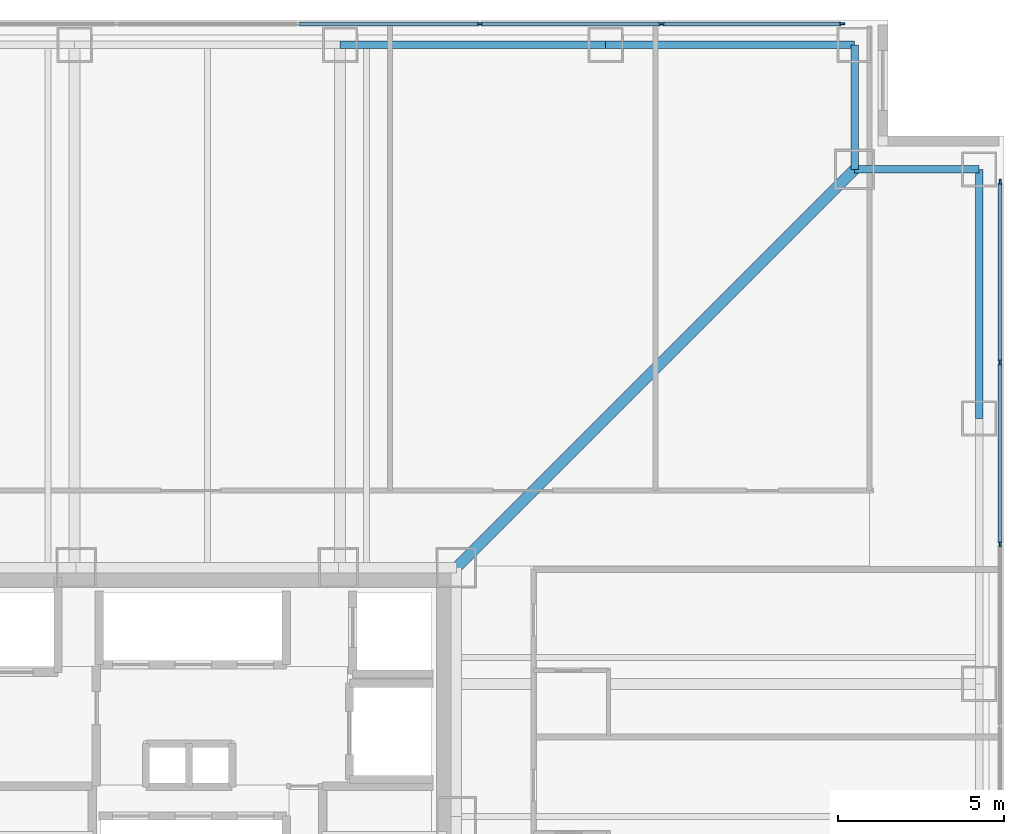
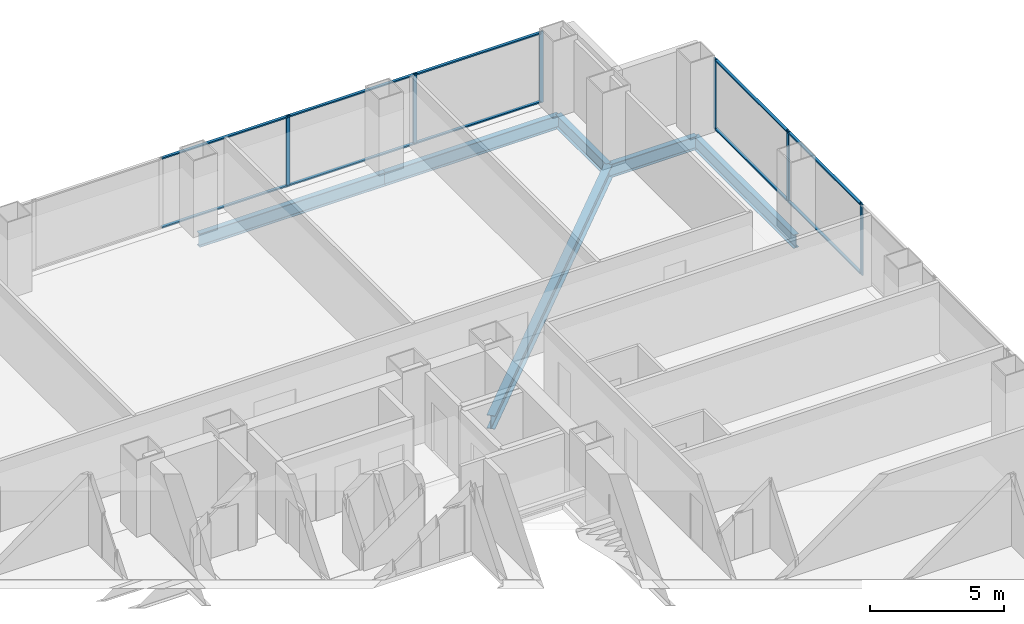
# One storey, part 9 of 16: 16 members, 6 beams, 2 elements without a shape of their own.
"""IFC4 building model written with IfcOpenShell, lengths in metres."""

from ifc_helpers import new_model, si_unit, direction, frame, origin, origin_2d, place, context, subcontext, project, spatial, rectangle, i_section, extrude, material, layer, layer_set, material_profile, profile_set, type_object, element, aggregate, save


model = new_model("IFC4")

# Units and contexts
model_context = context("Model", 3, precision=1e-05, world=origin(), true_north=direction((0.0, 1.0)))
body_context = subcontext(model_context, "Body", "Model", "MODEL_VIEW")
ifc_project = project(units=[si_unit("LENGTHUNIT", "METRE"), si_unit("AREAUNIT", "SQUARE_METRE"), si_unit("VOLUMEUNIT", "CUBIC_METRE"), si_unit("PLANEANGLEUNIT", "RADIAN"), si_unit("MASSUNIT", "GRAM", prefix="KILO")], contexts=[model_context])

# Site, building, storey
site_placement = place(None, origin())
site = spatial("IfcSite", under=ifc_project, at=site_placement, CompositionType="ELEMENT")
building_placement = place(site_placement, origin())
building = spatial("IfcBuilding", under=site, at=building_placement, Name="Trevonay Congress Spire", CompositionType="ELEMENT")
storey_placement = place(building_placement, frame((0.0, 0.0, 51.5)))
storey = spatial("IfcBuildingStorey", under=building, at=storey_placement, Name="L12", CompositionType="ELEMENT", Elevation=51.5)

# Beams
ifc_material_1 = material(Name="Steel ASTM A572 Grade 50", Category="steel")
ifc_material_profile_1 = material_profile(ifc_material_1, i_section(OverallWidth=0.324951171875, OverallDepth=0.615966796875, WebThickness=0.013916015625, FlangeThickness=0.021484375, FilletRadius=0.01806640625, at=origin_2d()), Name="W610x174")
ifc_profile_set_1 = profile_set([ifc_material_profile_1], Name="Steel ASTM A572 Grade 50")
beam_type_1 = type_object("IfcBeamType", Name="BM-GIRD-W610X174", PredefinedType="BEAM", material=ifc_profile_set_1)
beam_1_placement = place(storey_placement, frame((7.5, 7.5, -0.55810546875), z_axis=(0.707106781187, 0.707106781187, 0.0), x_axis=(-0.707106781187, 0.707106781187, 0.0)))
element("IfcBeam", 1, at=beam_1_placement, inside=storey, type_object=beam_type_1, Name="L12 structural beam BM-L12-CDNE", PredefinedType="BEAM", context=body_context, shape_type="SweptSolid", body=[
    extrude(i_section(OverallWidth=0.324951171875, OverallDepth=0.615966796875, WebThickness=0.013916015625, FlangeThickness=0.021484375, FilletRadius=0.01806640625, at=origin_2d()), origin(), (0.0, 0.0, 1.0), 16.970458984375),
])
ifc_material_profile_2 = material_profile(ifc_material_1, i_section(OverallWidth=0.22998046875, OverallDepth=0.616943359375, WebThickness=0.01318359375, FlangeThickness=0.022216796875, FilletRadius=0.01611328125, at=origin_2d()), Name="W610x140")
ifc_profile_set_2 = profile_set([ifc_material_profile_2], Name="Steel ASTM A572 Grade 50")
beam_type_2 = type_object("IfcBeamType", Name="BM-RING-W610X140", PredefinedType="BEAM", material=ifc_profile_set_2)
beam_2_placement = place(storey_placement, frame((4.0, 23.25, -0.55859375), z_axis=(1.0, 0.0, 0.0), x_axis=(0.0, 1.0, 0.0)))
element("IfcBeam", 2, at=beam_2_placement, inside=storey, type_object=beam_type_2, Name="L12 structural beam BM-L12-PN4", PredefinedType="BEAM", context=body_context, shape_type="SweptSolid", body=[
    extrude(i_section(OverallWidth=0.22998046875, OverallDepth=0.616943359375, WebThickness=0.01318359375, FlangeThickness=0.022216796875, FilletRadius=0.01611328125, at=origin_2d()), origin(), (0.0, 0.0, 1.0), 8.0),
])
for number, where, z_axis, x_axis, name in (
    (3, (12.0, 23.25, -0.55859375), (1.0, 0.0, 0.0), (0.0, 1.0, 0.0), "L12 structural beam BM-L12-PN5"),
    (4, (23.25, 12.0, -0.55859375), (0.0, 1.0, 0.0), (-1.0, 0.0, 0.0), "L12 structural beam BM-L12-PE5"),
):
    element("IfcBeam", number, at=place(storey_placement, frame(where, z_axis=z_axis, x_axis=x_axis)), inside=storey, type_object=beam_type_2, Name=name, PredefinedType="BEAM", context=body_context, shape_type="SweptSolid", body=[
        extrude(i_section(OverallWidth=0.22998046875, OverallDepth=0.616943359375, WebThickness=0.01318359375, FlangeThickness=0.022216796875, FilletRadius=0.01611328125, at=origin_2d()), origin(), (0.0, 0.0, 1.0), 7.5),
    ])
for number, where, z_axis, x_axis, name in (
    (5, (19.5, 23.25, -0.55859375), (0.0, -1.0, 0.0), (1.0, 0.0, 0.0), "L12 structural beam BM-L12-N1NE"),
    (6, (23.25, 19.5, -0.55859375), (-1.0, 0.0, 0.0), (0.0, -1.0, 0.0), "L12 structural beam BM-L12-N2NE"),
):
    element("IfcBeam", number, at=place(storey_placement, frame(where, z_axis=z_axis, x_axis=x_axis)), inside=storey, type_object=beam_type_2, Name=name, PredefinedType="BEAM", context=body_context, shape_type="SweptSolid", body=[
        extrude(i_section(OverallWidth=0.22998046875, OverallDepth=0.616943359375, WebThickness=0.01318359375, FlangeThickness=0.022216796875, FilletRadius=0.01611328125, at=origin_2d()), origin(), (0.0, 0.0, 1.0), 3.75),
    ])

# Curtain wall, members
ifc_material_2 = material(Name="Pale Anodised Aluminium EN AW-6063-T6", Category="aluminium")
ifc_layer = layer(ifc_material_2, 0.179931640625, Name="Pale Anodised Aluminium EN AW-6063-T6")
ifc_layer_set = layer_set([ifc_layer], Name="Pale Anodised Aluminium EN AW-6063-T6")
curtain_wall_type = type_object("IfcCurtainWallType", Name="CW-SYS02-HOTEL-PALE-METAL", PredefinedType="NOTDEFINED", material=ifc_layer_set)
curtain_wall_1_placement = place(storey_placement, origin())
curtain_wall_1 = element("IfcCurtainWall", 7, at=curtain_wall_1_placement, inside=storey, type_object=curtain_wall_type, Name="L12 N unitised curtain wall", PredefinedType="NOTDEFINED")
ifc_material_profile_3 = material_profile(ifc_material_2, rectangle(XDim=0.06005859375, YDim=0.159912109375, at=origin_2d()), Name="CW-MULLION-160-ALUMINIUM")
ifc_profile_set_3 = profile_set([ifc_material_profile_3], Name="Pale Anodised Aluminium EN AW-6063-T6")
member_type_1 = type_object("IfcMemberType", Name="CW-MULLION-160-ALUMINIUM", PredefinedType="MULLION", material=ifc_profile_set_3)
member_1_placement = place(storey_placement, frame((8.20703125, 23.8798828125, 0.0), z_axis=(0.0, 0.0, 1.0), x_axis=(0.0, 1.0, 0.0)))
member_1 = element("IfcMember", 8, at=member_1_placement, type_object=member_type_1, Name="CW02 mullion 6", PredefinedType="MULLION", context=body_context, shape_type="SweptSolid", body=[
    extrude(rectangle(XDim=0.06005859375, YDim=0.159912109375, at=origin_2d()), origin(), (0.0, 0.0, 1.0), 3.25),
])
member_2_placement = place(storey_placement, frame((13.678466796875, 23.8798828125, 0.0), z_axis=(0.0, 0.0, 1.0), x_axis=(0.0, 1.0, 0.0)))
member_2 = element("IfcMember", 9, at=member_2_placement, type_object=member_type_1, Name="CW02 mullion 7", PredefinedType="MULLION", context=body_context, shape_type="SweptSolid", body=[
    extrude(rectangle(XDim=0.06005859375, YDim=0.159912109375, at=origin_2d()), origin(), (0.0, 0.0, 1.0), 3.25),
])
member_3_placement = place(storey_placement, frame((19.1201171875, 23.8798828125, 0.0), z_axis=(0.0, 0.0, 1.0), x_axis=(0.0, 1.0, 0.0)))
member_3 = element("IfcMember", 10, at=member_3_placement, type_object=member_type_1, Name="CW02 mullion 8", PredefinedType="MULLION", context=body_context, shape_type="SweptSolid", body=[
    extrude(rectangle(XDim=0.06005859375, YDim=0.159912109375, at=origin_2d()), origin(), (0.0, 0.0, 1.0), 3.25),
])

curtain_wall_2_placement = place(storey_placement, origin())
curtain_wall_2 = element("IfcCurtainWall", 11, at=curtain_wall_2_placement, inside=storey, type_object=curtain_wall_type, Name="L12 E unitised curtain wall", PredefinedType="NOTDEFINED")
member_4_placement = place(storey_placement, frame((23.8798828125, 8.20703125, 0.0), z_axis=(0.0, 0.0, 1.0), x_axis=(-1.0, 0.0, 0.0)))
member_4 = element("IfcMember", 12, at=member_4_placement, type_object=member_type_1, Name="CW02 mullion 6", PredefinedType="MULLION", context=body_context, shape_type="SweptSolid", body=[
    extrude(rectangle(XDim=0.06005859375, YDim=0.159912109375, at=origin_2d()), origin(), (0.0, 0.0, 1.0), 3.25),
])
member_5_placement = place(storey_placement, frame((23.8798828125, 13.678466796875, 0.0), z_axis=(0.0, 0.0, 1.0), x_axis=(-1.0, 0.0, 0.0)))
member_5 = element("IfcMember", 13, at=member_5_placement, type_object=member_type_1, Name="CW02 mullion 7", PredefinedType="MULLION", context=body_context, shape_type="SweptSolid", body=[
    extrude(rectangle(XDim=0.06005859375, YDim=0.159912109375, at=origin_2d()), origin(), (0.0, 0.0, 1.0), 3.25),
])
member_6_placement = place(storey_placement, frame((23.8798828125, 19.1201171875, 0.0), z_axis=(0.0, 0.0, 1.0), x_axis=(-1.0, 0.0, 0.0)))
member_6 = element("IfcMember", 14, at=member_6_placement, type_object=member_type_1, Name="CW02 mullion 8", PredefinedType="MULLION", context=body_context, shape_type="SweptSolid", body=[
    extrude(rectangle(XDim=0.06005859375, YDim=0.159912109375, at=origin_2d()), origin(), (0.0, 0.0, 1.0), 3.25),
])

# Member
ifc_material_profile_4 = material_profile(ifc_material_2, rectangle(XDim=0.1201171875, YDim=0.06005859375, at=origin_2d()), Name="CW-TRANSOM-120-ALUMINIUM")
ifc_profile_set_4 = profile_set([ifc_material_profile_4], Name="Pale Anodised Aluminium EN AW-6063-T6")
member_type_2 = type_object("IfcMemberType", Name="CW-TRANSOM-120-ALUMINIUM", PredefinedType="USERDEFINED", material=ifc_profile_set_4)
member_7_placement = place(storey_placement, frame((2.765625, 23.8798828125, 0.06005859375), z_axis=(1.0, 0.0, 0.0), x_axis=(0.0, 1.0, 0.0)))
member_7 = element("IfcMember", 15, at=member_7_placement, type_object=member_type_2, Name="CW02 transom 5.1", ObjectType="TRANSOM", PredefinedType="USERDEFINED", context=body_context, shape_type="SweptSolid", body=[
    extrude(rectangle(XDim=0.1201171875, YDim=0.06005859375, at=origin_2d()), origin(), (0.0, 0.0, 1.0), 5.41162109375),
])

member_8_placement = place(storey_placement, frame((2.765625, 23.8798828125, 3.18994140625), z_axis=(1.0, 0.0, 0.0), x_axis=(0.0, 1.0, 0.0)))
member_8 = element("IfcMember", 16, at=member_8_placement, type_object=member_type_2, Name="CW02 transom 5.2", ObjectType="TRANSOM", PredefinedType="USERDEFINED", context=body_context, shape_type="SweptSolid", body=[
    extrude(rectangle(XDim=0.1201171875, YDim=0.06005859375, at=origin_2d()), origin(), (0.0, 0.0, 1.0), 5.41162109375),
])

member_9_placement = place(storey_placement, frame((8.237060546875, 23.8798828125, 0.06005859375), z_axis=(1.0, 0.0, 0.0), x_axis=(0.0, 1.0, 0.0)))
member_9 = element("IfcMember", 17, at=member_9_placement, type_object=member_type_2, Name="CW02 transom 6.1", ObjectType="TRANSOM", PredefinedType="USERDEFINED", context=body_context, shape_type="SweptSolid", body=[
    extrude(rectangle(XDim=0.1201171875, YDim=0.06005859375, at=origin_2d()), origin(), (0.0, 0.0, 1.0), 5.41162109375),
])

member_10_placement = place(storey_placement, frame((8.237060546875, 23.8798828125, 3.18994140625), z_axis=(1.0, 0.0, 0.0), x_axis=(0.0, 1.0, 0.0)))
member_10 = element("IfcMember", 18, at=member_10_placement, type_object=member_type_2, Name="CW02 transom 6.2", ObjectType="TRANSOM", PredefinedType="USERDEFINED", context=body_context, shape_type="SweptSolid", body=[
    extrude(rectangle(XDim=0.1201171875, YDim=0.06005859375, at=origin_2d()), origin(), (0.0, 0.0, 1.0), 5.41162109375),
])

member_11_placement = place(storey_placement, frame((13.70849609375, 23.8798828125, 0.06005859375), z_axis=(1.0, 0.0, 0.0), x_axis=(0.0, 1.0, 0.0)))
member_11 = element("IfcMember", 19, at=member_11_placement, type_object=member_type_2, Name="CW02 transom 7.1", ObjectType="TRANSOM", PredefinedType="USERDEFINED", context=body_context, shape_type="SweptSolid", body=[
    extrude(rectangle(XDim=0.1201171875, YDim=0.06005859375, at=origin_2d()), origin(), (0.0, 0.0, 1.0), 5.381591796875),
])

member_12_placement = place(storey_placement, frame((13.70849609375, 23.8798828125, 3.18994140625), z_axis=(1.0, 0.0, 0.0), x_axis=(0.0, 1.0, 0.0)))
member_12 = element("IfcMember", 20, at=member_12_placement, type_object=member_type_2, Name="CW02 transom 7.2", ObjectType="TRANSOM", PredefinedType="USERDEFINED", context=body_context, shape_type="SweptSolid", body=[
    extrude(rectangle(XDim=0.1201171875, YDim=0.06005859375, at=origin_2d()), origin(), (0.0, 0.0, 1.0), 5.381591796875),
])

aggregate(curtain_wall_1, [member_1, member_2, member_3, member_7, member_8, member_9, member_10, member_11, member_12])

member_13_placement = place(storey_placement, frame((23.8798828125, 8.237060546875, 0.06005859375), z_axis=(0.0, 1.0, 0.0), x_axis=(-1.0, 0.0, 0.0)))
member_13 = element("IfcMember", 21, at=member_13_placement, type_object=member_type_2, Name="CW02 transom 6.1", ObjectType="TRANSOM", PredefinedType="USERDEFINED", context=body_context, shape_type="SweptSolid", body=[
    extrude(rectangle(XDim=0.1201171875, YDim=0.06005859375, at=origin_2d()), origin(), (0.0, 0.0, 1.0), 5.41162109375),
])

member_14_placement = place(storey_placement, frame((23.8798828125, 8.237060546875, 3.18994140625), z_axis=(0.0, 1.0, 0.0), x_axis=(-1.0, 0.0, 0.0)))
member_14 = element("IfcMember", 22, at=member_14_placement, type_object=member_type_2, Name="CW02 transom 6.2", ObjectType="TRANSOM", PredefinedType="USERDEFINED", context=body_context, shape_type="SweptSolid", body=[
    extrude(rectangle(XDim=0.1201171875, YDim=0.06005859375, at=origin_2d()), origin(), (0.0, 0.0, 1.0), 5.41162109375),
])

member_15_placement = place(storey_placement, frame((23.8798828125, 13.70849609375, 0.06005859375), z_axis=(0.0, 1.0, 0.0), x_axis=(-1.0, 0.0, 0.0)))
member_15 = element("IfcMember", 23, at=member_15_placement, type_object=member_type_2, Name="CW02 transom 7.1", ObjectType="TRANSOM", PredefinedType="USERDEFINED", context=body_context, shape_type="SweptSolid", body=[
    extrude(rectangle(XDim=0.1201171875, YDim=0.06005859375, at=origin_2d()), origin(), (0.0, 0.0, 1.0), 5.381591796875),
])

member_16_placement = place(storey_placement, frame((23.8798828125, 13.70849609375, 3.18994140625), z_axis=(0.0, 1.0, 0.0), x_axis=(-1.0, 0.0, 0.0)))
member_16 = element("IfcMember", 24, at=member_16_placement, type_object=member_type_2, Name="CW02 transom 7.2", ObjectType="TRANSOM", PredefinedType="USERDEFINED", context=body_context, shape_type="SweptSolid", body=[
    extrude(rectangle(XDim=0.1201171875, YDim=0.06005859375, at=origin_2d()), origin(), (0.0, 0.0, 1.0), 5.381591796875),
])

aggregate(curtain_wall_2, [member_4, member_5, member_6, member_13, member_14, member_15, member_16])

save(model, "model.ifc")
